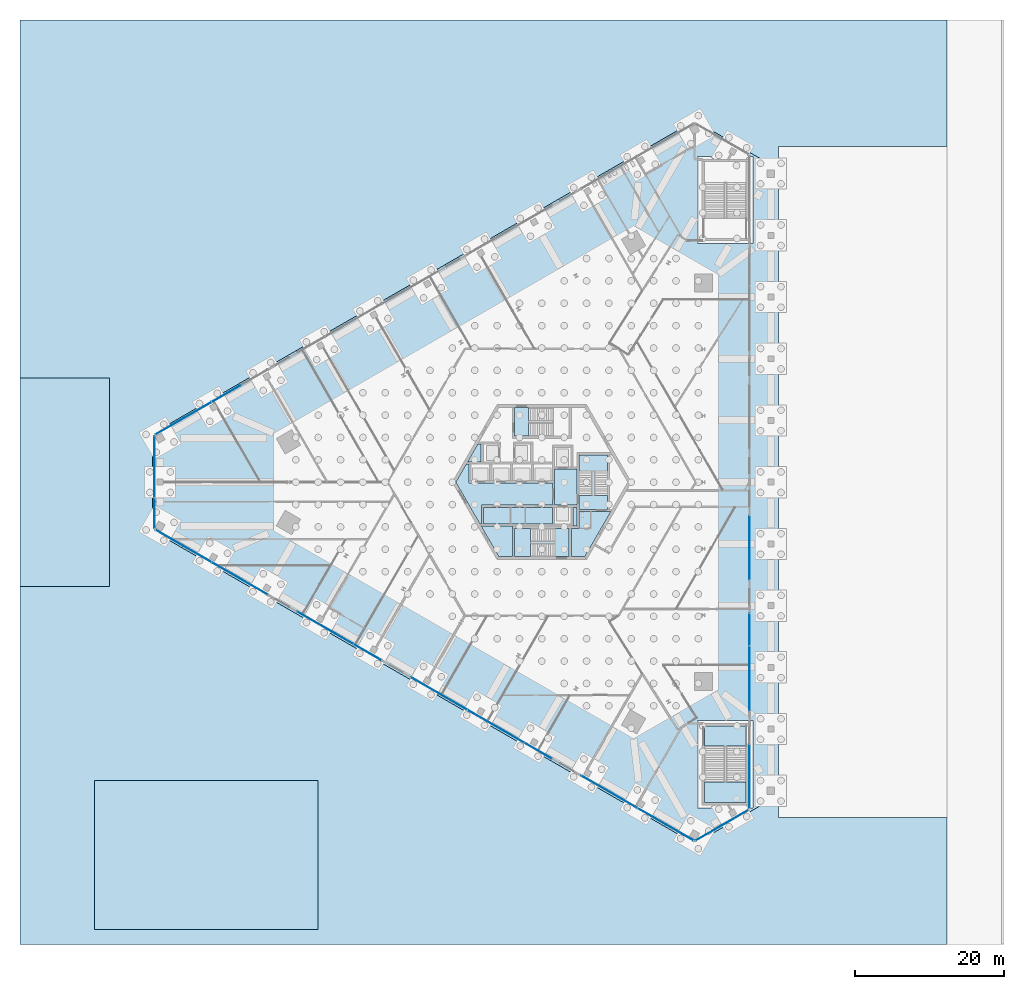
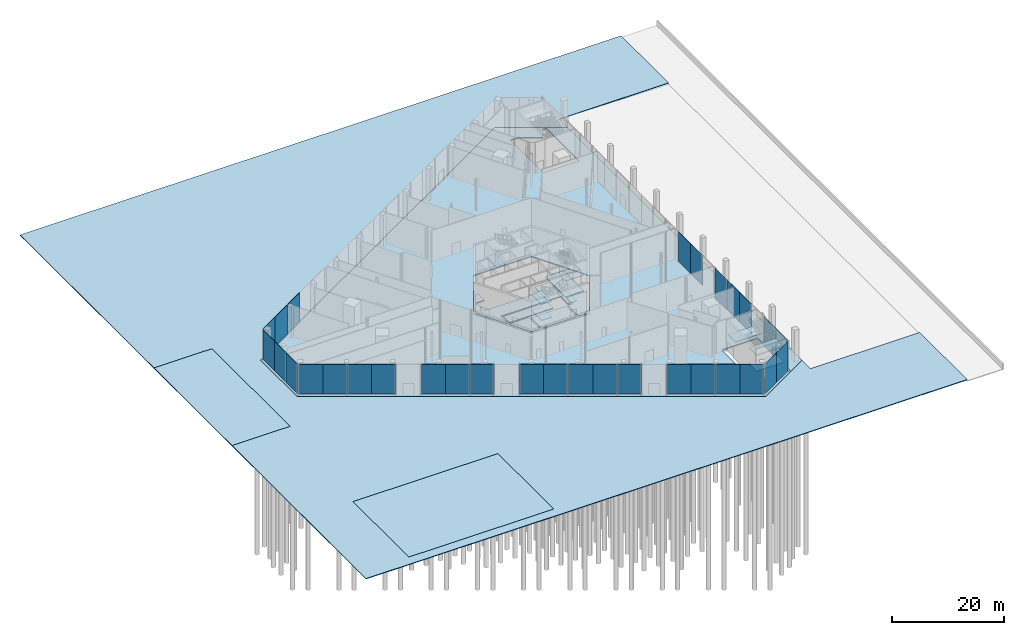
# One storey, part 14 of 27: 31 plates, 22 slabs, 14 elements without a shape of their own.
"""IFC4 building model written with IfcOpenShell, lengths in metres."""

from ifc_helpers import new_model, si_unit, direction, frame, origin, origin_2d, place, context, subcontext, project, spatial, polyline, rectangle, outline, extrude, source, transform, mapped, material, layer, layer_set, type_object, element, aggregate, save


model = new_model("IFC4")

# Units and contexts
model_context = context("Model", 3, precision=1e-05, world=origin(), true_north=direction((0.0, 1.0)))
body_context = subcontext(model_context, "Body", "Model", "MODEL_VIEW")
ifc_project = project(units=[si_unit("LENGTHUNIT", "METRE"), si_unit("AREAUNIT", "SQUARE_METRE"), si_unit("VOLUMEUNIT", "CUBIC_METRE"), si_unit("PLANEANGLEUNIT", "RADIAN"), si_unit("MASSUNIT", "GRAM", prefix="KILO")], contexts=[model_context])

# Site, building, storey
site_placement = place(None, origin())
site = spatial("IfcSite", under=ifc_project, at=site_placement, CompositionType="ELEMENT")
building_placement = place(site_placement, origin())
building = spatial("IfcBuilding", under=site, at=building_placement, Name="Triune Harvest Tower", CompositionType="ELEMENT")
storey_placement = place(building_placement, origin())
storey = spatial("IfcBuildingStorey", under=building, at=storey_placement, Name="L00", CompositionType="ELEMENT", Elevation=0.0)

# Slabs
ifc_material_1 = material(Name="Concrete 40 MPa", Category="concrete")
ifc_layer_1 = layer(ifc_material_1, 0.199951171875)
ifc_layer_set_1 = layer_set([ifc_layer_1], Name="Concrete 40 MPa")
slab_type_1 = type_object("IfcSlabType", Name="Core ground floor 200", PredefinedType="FLOOR", material=ifc_layer_set_1)
slab_1_placement = place(storey_placement, frame((0.0, 0.0, -0.199951171875)))
element("IfcSlab", 1, at=slab_1_placement, inside=storey, type_object=slab_type_1, Name="Core floor 1", PredefinedType="FLOOR", context=body_context, shape_type="SweptSolid", body=[
    extrude(outline(polyline([(-3.64990234375, -9.9921875), (-3.64990234375, -6.18994140625), (3.64990234375, -6.18994140625), (3.64990234375, -9.9921875), (-3.64990234375, -9.9921875)])), origin(), (0.0, 0.0, 1.0), 0.199951171875),
])
slab_2_placement = place(storey_placement, frame((0.0, 0.0, -0.199951171875)))
element("IfcSlab", 2, at=slab_2_placement, inside=storey, type_object=slab_type_1, Name="Core floor 2", PredefinedType="FLOOR", context=body_context, shape_type="SweptSolid", body=[
    extrude(outline(polyline([(-8.137451171875, -5.889892578125), (-3.949951171875, -5.889892578125), (-3.949951171875, -9.9921875), (-5.76904296875, -9.9921875), (-8.137451171875, -5.889892578125)])), origin(), (0.0, 0.0, 1.0), 0.199951171875),
])
slab_3_placement = place(storey_placement, frame((0.0, 0.0, -0.199951171875)))
element("IfcSlab", 3, at=slab_3_placement, inside=storey, type_object=slab_type_1, Name="Core floor 3", PredefinedType="FLOOR", context=body_context, shape_type="SweptSolid", body=[
    extrude(outline(polyline([(5.76904296875, -9.9921875), (3.949951171875, -9.9921875), (3.949951171875, -6.18994140625), (5.0, -6.18994140625), (5.0, -3.949951171875), (9.257568359375, -3.949951171875), (5.76904296875, -9.9921875)])), origin(), (0.0, 0.0, 1.0), 0.199951171875),
])
slab_4_placement = place(storey_placement, frame((0.0, 0.0, -0.199951171875)))
element("IfcSlab", 4, at=slab_4_placement, inside=storey, type_object=slab_type_1, Name="Core floor 4", PredefinedType="FLOOR", context=body_context, shape_type="SweptSolid", body=[
    extrude(outline(polyline([(4.699951171875, -3.389892578125), (4.699951171875, -5.889892578125), (4.199951171875, -5.889892578125), (4.199951171875, -3.389892578125), (4.699951171875, -3.389892578125)])), origin(), (0.0, 0.0, 1.0), 0.199951171875),
])
slab_5_placement = place(storey_placement, frame((0.0, 0.0, -0.199951171875)))
element("IfcSlab", 5, at=slab_5_placement, inside=storey, type_object=slab_type_1, Name="Core floor 5", PredefinedType="FLOOR", context=body_context, shape_type="SweptSolid", body=[
    extrude(outline(polyline([(1.39990234375, -3.389892578125), (1.39990234375, -5.590087890625), (-7.800048828125, -5.590087890625), (-7.800048828125, -3.389892578125), (1.39990234375, -3.389892578125)])), origin(), (0.0, 0.0, 1.0), 0.199951171875),
])
slab_6_placement = place(storey_placement, frame((0.0, 0.0, -0.199951171875)))
element("IfcSlab", 6, at=slab_6_placement, inside=storey, type_object=slab_type_1, Name="Core floor 6", PredefinedType="FLOOR", context=body_context, shape_type="SweptSolid", body=[
    extrude(outline(polyline([(-8.10009765625, -5.590087890625), (-8.310791015625, -5.590087890625), (-11.5380859375, 0.0), (-10.146728515625, 2.409912109375), (-9.800048828125, 2.409912109375), (-9.800048828125, -0.090087890625), (1.39990234375, -0.090087890625), (1.39990234375, -3.090087890625), (-8.10009765625, -3.090087890625), (-8.10009765625, -5.590087890625)])), origin(), (0.0, 0.0, 1.0), 0.199951171875),
])
slab_7_placement = place(storey_placement, frame((0.0, 0.0, -0.199951171875)))
element("IfcSlab", 7, at=slab_7_placement, inside=storey, type_object=slab_type_1, Name="Core floor 7", PredefinedType="FLOOR", context=body_context, shape_type="SweptSolid", body=[
    extrude(outline(polyline([(1.699951171875, 1.760009765625), (4.699951171875, 1.760009765625), (4.699951171875, -3.090087890625), (1.699951171875, -3.090087890625), (1.699951171875, 1.760009765625)])), origin(), (0.0, 0.0, 1.0), 0.199951171875),
])
slab_8_placement = place(storey_placement, frame((0.0, 0.0, -0.199951171875)))
element("IfcSlab", 8, at=slab_8_placement, inside=storey, type_object=slab_type_1, Name="Core floor 8", PredefinedType="FLOOR", context=body_context, shape_type="SweptSolid", body=[
    extrude(outline(polyline([(5.0, -3.64990234375), (5.0, 3.64990234375), (8.800048828125, 3.64990234375), (8.800048828125, -3.64990234375), (5.0, -3.64990234375)])), origin(), (0.0, 0.0, 1.0), 0.199951171875),
])
slab_9_placement = place(storey_placement, frame((0.0, 0.0, -0.199951171875)))
element("IfcSlab", 9, at=slab_9_placement, inside=storey, type_object=slab_type_1, Name="Core floor 10", PredefinedType="FLOOR", context=body_context, shape_type="SweptSolid", body=[
    extrude(outline(polyline([(-8.587890625, 5.110107421875), (-8.14990234375, 5.110107421875), (-8.14990234375, 2.7099609375), (-9.973388671875, 2.7099609375), (-8.587890625, 5.110107421875)])), origin(), (0.0, 0.0, 1.0), 0.199951171875),
])

# Curtain wall, plates
ifc_material_2 = material(Name="Aluminium bronze anodised", Category="aluminium")
curtain_wall_type = type_object("IfcCurtainWallType", Name="CW-2 Podium shopfront wall", PredefinedType="NOTDEFINED", material=ifc_material_2)
curtain_wall_1_placement = place(storey_placement, origin())
curtain_wall_1 = element("IfcCurtainWall", 10, at=curtain_wall_1_placement, inside=storey, type_object=curtain_wall_type, Name="CW-2 PD-F4 L00 run 1")
ifc_material_3 = material(Name="Glass", Category="glass")
ifc_layer_2 = layer(ifc_material_3, 0.0400390625)
ifc_layer_set_2 = layer_set([ifc_layer_2], Name="Glass")
plate_type = type_object("IfcPlateType", Name="GL-2 panel 40", PredefinedType="CURTAIN_PANEL", material=ifc_layer_set_2)
plate_1_placement = place(storey_placement, frame((-51.9501953125, 4.11279296875, 0.300048828125), z_axis=(0.0, 0.0, 1.0), x_axis=(0.0, -1.0, 0.0)))
plate_1 = element("IfcPlate", 11, at=plate_1_placement, type_object=plate_type, Name="CW-2 panel PD-F4 1.1", PredefinedType="CURTAIN_PANEL", context=body_context, shape_type="SweptSolid", body=[
    extrude(rectangle(XDim=4.06787109375, YDim=0.0400390625, at=origin_2d()), origin(), (0.0, 0.0, 1.0), 6.5),
])
plate_2_placement = place(storey_placement, frame((-51.9501953125, 0.0224609375, 0.300048828125), z_axis=(0.0, 0.0, 1.0), x_axis=(0.0, -1.0, 0.0)))
plate_2 = element("IfcPlate", 12, at=plate_2_placement, type_object=plate_type, Name="CW-2 panel PD-F4 1.2", PredefinedType="CURTAIN_PANEL", context=body_context, shape_type="SweptSolid", body=[
    extrude(rectangle(XDim=4.11279296875, YDim=0.0400390625, at=origin_2d()), origin(), (0.0, 0.0, 1.0), 6.5),
])
plate_3_placement = place(storey_placement, frame((-51.9501953125, -4.13525390625, 0.300048828125), z_axis=(0.0, 0.0, 1.0), x_axis=(0.0, -1.0, 0.0)))
plate_3 = element("IfcPlate", 13, at=plate_3_placement, type_object=plate_type, Name="CW-2 panel PD-F4 1.3", PredefinedType="CURTAIN_PANEL", context=body_context, shape_type="SweptSolid", body=[
    extrude(rectangle(XDim=4.02294921875, YDim=0.0400390625, at=origin_2d()), origin(), (0.0, 0.0, 1.0), 6.5),
])
aggregate(curtain_wall_1, [plate_1, plate_2, plate_3])

# Slabs
ifc_material_4 = material(Name="Stone paving", Category="masonry")
ifc_layer_3 = layer(ifc_material_4, 0.14990234375)
ifc_layer_set_3 = layer_set([ifc_layer_3], Name="Stone paving")
slab_type_2 = type_object("IfcSlabType", Name="PV-1 paving 150", PredefinedType="USERDEFINED", material=ifc_layer_set_3)
slab_10_placement = place(storey_placement, frame((0.0, 0.0, -0.14990234375)))
element("IfcSlab", 14, at=slab_10_placement, inside=storey, type_object=slab_type_2, Name="Paving apron 1", ObjectType="PAVING", PredefinedType="USERDEFINED", context=body_context, shape_type="SweptSolid", body=[
    extrude(outline(polyline([(31.75439453125, 45.0), (31.75439453125, 42.0), (20.495849609375, 48.5), (-52.250244140625, 6.5), (-52.250244140625, -6.5), (20.495849609375, -48.5), (31.75439453125, -42.0), (31.75439453125, -45.0), (54.3798828125, -45.0), (54.3798828125, -62.0), (-70.0, -62.0), (-70.0, -14.0), (-58.0, -14.0), (-58.0, 14.0), (-70.0, 14.0), (-70.0, 62.0), (54.3798828125, 62.0), (54.3798828125, 45.0), (31.75439453125, 45.0)]), holes=[polyline([(-30.0, -60.0), (-30.0, -40.0), (-60.0, -40.0), (-60.0, -60.0), (-30.0, -60.0)])]), origin(), (0.0, 0.0, 1.0), 0.14990234375),
])
slab_11_placement = place(storey_placement, frame((0.0, 0.0, -0.14990234375)))
element("IfcSlab", 15, at=slab_11_placement, inside=storey, type_object=slab_type_2, Name="Paving drop-off 1", ObjectType="PAVING", PredefinedType="USERDEFINED", context=body_context, shape_type="SweptSolid", body=[
    extrude(outline(polyline([(-70.0, -14.0), (-58.0, -14.0), (-58.0, 14.0), (-70.0, 14.0), (-70.0, -14.0)])), origin(), (0.0, 0.0, 1.0), 0.14990234375),
])
slab_12_placement = place(storey_placement, frame((0.0, 0.0, -0.14990234375)))
element("IfcSlab", 16, at=slab_12_placement, inside=storey, type_object=slab_type_2, Name="Paving loading 1", ObjectType="PAVING", PredefinedType="USERDEFINED", context=body_context, shape_type="SweptSolid", body=[
    extrude(outline(polyline([(-60.0, -60.0), (-30.0, -60.0), (-30.0, -40.0), (-60.0, -40.0), (-60.0, -60.0)])), origin(), (0.0, 0.0, 1.0), 0.14990234375),
])
ifc_material_5 = material(Name="Concrete 40 MPa", Category="concrete")
ifc_layer_4 = layer(ifc_material_5, 0.199951171875)
ifc_layer_set_4 = layer_set([ifc_layer_4], Name="Concrete 40 MPa")
slab_type_3 = type_object("IfcSlabType", Name="SL-3 Composite floor slab 200", PredefinedType="FLOOR", material=ifc_layer_set_4)
slab_13_placement = place(storey_placement, frame((0.0, 0.0, -0.199951171875)))
element("IfcSlab", 17, at=slab_13_placement, inside=storey, type_object=slab_type_3, Name="slab/L00/1", PredefinedType="FLOOR", context=body_context, shape_type="SweptSolid", body=[
    extrude(outline(polyline([(31.75439453125, -42.0), (31.75439453125, 42.0), (20.495849609375, 48.5), (-52.250244140625, 6.5), (-52.250244140625, -6.5), (20.495849609375, -48.5), (31.75439453125, -42.0)]), holes=[polyline([(12.0, 0.0), (6.0, 10.392333984375), (-6.0, 10.392333984375), (-12.0, 0.0), (-6.0, -10.392333984375), (6.0, -10.392333984375), (12.0, 0.0)]), polyline([(28.34521484375, 31.98486328125), (20.90478515625, 31.98486328125), (20.90478515625, 43.715087890625), (22.796875, 43.715087890625), (22.716552734375, 43.575927734375), (26.379638671875, 41.4609375), (27.680908203125, 43.715087890625), (28.34521484375, 43.715087890625), (28.34521484375, 31.98486328125)]), polyline([(20.90478515625, -31.98486328125), (28.34521484375, -31.98486328125), (28.34521484375, -43.715087890625), (27.680908203125, -43.715087890625), (26.379638671875, -41.4609375), (22.716552734375, -43.575927734375), (22.796875, -43.715087890625), (20.90478515625, -43.715087890625), (20.90478515625, -31.98486328125)])]), origin(), (0.0, 0.0, 1.0), 0.199951171875),
])

# Stair, slab
ifc_material_6 = material(Name="Concrete 40 MPa", Category="concrete")
stair_type_1 = type_object("IfcStairType", Name="Exit stair 1800 double return", PredefinedType="DOUBLE_RETURN_STAIR", material=ifc_material_6)
stair_1_placement = place(storey_placement, origin())
stair_1 = element("IfcStair", 18, at=stair_1_placement, inside=storey, type_object=stair_type_1, Name="Exit stair north", PredefinedType="DOUBLE_RETURN_STAIR")
ifc_material_7 = material(Name="Concrete 40 MPa", Category="concrete")
ifc_layer_5 = layer(ifc_material_7, 0.199951171875)
ifc_layer_set_5 = layer_set([ifc_layer_5], Name="Concrete 40 MPa")
slab_type_4 = type_object("IfcSlabType", Name="Stair landing 200", PredefinedType="LANDING", material=ifc_layer_set_5)
shared_shape_1 = source(origin(), body_context, "Body", "SweptSolid", [
    extrude(outline(polyline([(-3.64990234375, 6.18994140625), (-1.780029296875, 6.18994140625), (-1.780029296875, 9.989990234375), (-3.64990234375, 9.989990234375), (-3.64990234375, 6.18994140625)])), origin(), (0.0, 0.0, 1.0), 0.199951171875),
])
slab_14_placement = place(storey_placement, frame((0.0, 0.0, 3.300048828125)))
slab_14 = element("IfcSlab", 19, at=slab_14_placement, type_object=slab_type_4, Name="ST-1 landing 2", PredefinedType="LANDING", context=body_context, shape_type="MappedRepresentation", body=[
    mapped(shared_shape_1, transform((0.0, 0.0, 0.0), scale=1.0)),
])
aggregate(stair_1, [slab_14])

# Stair, slabs
stair_2_placement = place(storey_placement, origin())
stair_2 = element("IfcStair", 20, at=stair_2_placement, inside=storey, type_object=stair_type_1, Name="Exit stair south", PredefinedType="DOUBLE_RETURN_STAIR")
shared_shape_2 = source(origin(), body_context, "Body", "SweptSolid", [
    extrude(outline(polyline([(-1.510009765625, -6.18994140625), (-3.64990234375, -6.18994140625), (-3.64990234375, -9.989990234375), (-1.510009765625, -9.989990234375), (-1.510009765625, -6.18994140625)])), origin(), (0.0, 0.0, 1.0), 0.199951171875),
])
slab_15_placement = place(storey_placement, frame((0.0, 0.0, 1.550048828125)))
slab_15 = element("IfcSlab", 21, at=slab_15_placement, type_object=slab_type_4, Name="ST-2 landing 1", PredefinedType="LANDING", context=body_context, shape_type="MappedRepresentation", body=[
    mapped(shared_shape_2, transform((0.0, 0.0, 0.0), scale=1.0)),
])
slab_16_placement = place(storey_placement, frame((0.0, 0.0, 5.050048828125)))
slab_16 = element("IfcSlab", 22, at=slab_16_placement, type_object=slab_type_4, Name="ST-2 landing 3", PredefinedType="LANDING", context=body_context, shape_type="MappedRepresentation", body=[
    mapped(shared_shape_2, transform((0.0, 0.0, 0.0), scale=1.0)),
])
shared_shape_3 = source(origin(), body_context, "Body", "SweptSolid", [
    extrude(outline(polyline([(3.64990234375, -6.18994140625), (1.780029296875, -6.18994140625), (1.780029296875, -9.989990234375), (3.64990234375, -9.989990234375), (3.64990234375, -6.18994140625)])), origin(), (0.0, 0.0, 1.0), 0.199951171875),
])
slab_17_placement = place(storey_placement, frame((0.0, 0.0, 3.300048828125)))
slab_17 = element("IfcSlab", 23, at=slab_17_placement, type_object=slab_type_4, Name="ST-2 landing 2", PredefinedType="LANDING", context=body_context, shape_type="MappedRepresentation", body=[
    mapped(shared_shape_3, transform((0.0, 0.0, 0.0), scale=1.0)),
])
aggregate(stair_2, [slab_15, slab_17, slab_16])

stair_3_placement = place(storey_placement, origin())
stair_3 = element("IfcStair", 24, at=stair_3_placement, inside=storey, type_object=stair_type_1, Name="Exit stair east", PredefinedType="DOUBLE_RETURN_STAIR")
shared_shape_4 = source(origin(), body_context, "Body", "SweptSolid", [
    extrude(outline(polyline([(8.800048828125, 1.510009765625), (8.800048828125, 3.64990234375), (5.0, 3.64990234375), (5.0, 1.510009765625), (8.800048828125, 1.510009765625)])), origin(), (0.0, 0.0, 1.0), 0.199951171875),
])
slab_18_placement = place(storey_placement, frame((0.0, 0.0, 1.550048828125)))
slab_18 = element("IfcSlab", 25, at=slab_18_placement, type_object=slab_type_4, Name="ST-3 landing 1", PredefinedType="LANDING", context=body_context, shape_type="MappedRepresentation", body=[
    mapped(shared_shape_4, transform((0.0, 0.0, 0.0), scale=1.0)),
])
shared_shape_5 = source(origin(), body_context, "Body", "SweptSolid", [
    extrude(outline(polyline([(8.800048828125, -3.64990234375), (8.800048828125, -1.780029296875), (5.0, -1.780029296875), (5.0, -3.64990234375), (8.800048828125, -3.64990234375)])), origin(), (0.0, 0.0, 1.0), 0.199951171875),
])
slab_19_placement = place(storey_placement, frame((0.0, 0.0, 3.300048828125)))
slab_19 = element("IfcSlab", 26, at=slab_19_placement, type_object=slab_type_4, Name="ST-3 landing 2", PredefinedType="LANDING", context=body_context, shape_type="MappedRepresentation", body=[
    mapped(shared_shape_5, transform((0.0, 0.0, 0.0), scale=1.0)),
])
aggregate(stair_3, [slab_18, slab_19])

ifc_material_8 = material(Name="Concrete 40 MPa", Category="concrete")
stair_type_2 = type_object("IfcStairType", Name="Podium exit stair 2700 double return", PredefinedType="DOUBLE_RETURN_STAIR", material=ifc_material_8)
stair_4_placement = place(storey_placement, origin())
stair_4 = element("IfcStair", 27, at=stair_4_placement, inside=storey, type_object=stair_type_2, Name="Podium exit stair south", PredefinedType="DOUBLE_RETURN_STAIR")
shared_shape_6 = source(origin(), body_context, "Body", "SweptSolid", [
    extrude(outline(polyline([(21.820068359375, -40.199951171875), (21.820068359375, -43.0), (27.419921875, -43.0), (27.419921875, -40.199951171875), (21.820068359375, -40.199951171875)])), origin(), (0.0, 0.0, 1.0), 0.199951171875),
])
slab_20_placement = place(storey_placement, frame((0.0, 0.0, 1.550048828125)))
slab_20 = element("IfcSlab", 28, at=slab_20_placement, type_object=slab_type_4, Name="PS-2 landing 1", PredefinedType="LANDING", context=body_context, shape_type="MappedRepresentation", body=[
    mapped(shared_shape_6, transform((0.0, 0.0, 0.0), scale=1.0)),
])
slab_21_placement = place(storey_placement, frame((0.0, 0.0, 5.050048828125)))
slab_21 = element("IfcSlab", 29, at=slab_21_placement, type_object=slab_type_4, Name="PS-2 landing 3", PredefinedType="LANDING", context=body_context, shape_type="MappedRepresentation", body=[
    mapped(shared_shape_6, transform((0.0, 0.0, 0.0), scale=1.0)),
])
shared_shape_7 = source(origin(), body_context, "Body", "SweptSolid", [
    extrude(outline(polyline([(21.820068359375, -32.699951171875), (21.820068359375, -35.409912109375), (27.419921875, -35.409912109375), (27.419921875, -32.699951171875), (21.820068359375, -32.699951171875)])), origin(), (0.0, 0.0, 1.0), 0.199951171875),
])
slab_22_placement = place(storey_placement, frame((0.0, 0.0, 3.300048828125)))
slab_22 = element("IfcSlab", 30, at=slab_22_placement, type_object=slab_type_4, Name="PS-2 landing 2", PredefinedType="LANDING", context=body_context, shape_type="MappedRepresentation", body=[
    mapped(shared_shape_7, transform((0.0, 0.0, 0.0), scale=1.0)),
])
aggregate(stair_4, [slab_20, slab_22, slab_21])

# Curtain wall, plates
curtain_wall_2_placement = place(storey_placement, origin())
curtain_wall_2 = element("IfcCurtainWall", 31, at=curtain_wall_2_placement, inside=storey, type_object=curtain_wall_type, Name="CW-2 PD-F1 L00 run 1")
shared_shape_8 = source(origin(), body_context, "Body", "SweptSolid", [
    extrude(rectangle(XDim=4.255615234375, YDim=0.0400390625, at=origin_2d()), origin(), (0.0, 0.0, 1.0), 6.5),
])
plate_4_placement = place(storey_placement, frame((27.854248046875, -41.597412109375, 0.300048828125), z_axis=(0.0, 0.0, 1.0), x_axis=(0.0, 1.0, 0.0)))
plate_4 = element("IfcPlate", 32, at=plate_4_placement, type_object=plate_type, Name="CW-2 panel PD-F1 1.1", PredefinedType="CURTAIN_PANEL", context=body_context, shape_type="MappedRepresentation", body=[
    mapped(shared_shape_8, transform((0.0, 0.0, 0.0), scale=1.0)),
])
plate_5_placement = place(storey_placement, frame((27.854248046875, -37.342041015625, 0.300048828125), z_axis=(0.0, 0.0, 1.0), x_axis=(0.0, 1.0, 0.0)))
plate_5 = element("IfcPlate", 33, at=plate_5_placement, type_object=plate_type, Name="CW-2 panel PD-F1 1.2", PredefinedType="CURTAIN_PANEL", context=body_context, shape_type="MappedRepresentation", body=[
    mapped(shared_shape_8, transform((0.0, 0.0, 0.0), scale=1.0)),
])
aggregate(curtain_wall_2, [plate_4, plate_5])

curtain_wall_3_placement = place(storey_placement, origin())
curtain_wall_3 = element("IfcCurtainWall", 34, at=curtain_wall_3_placement, inside=storey, type_object=curtain_wall_type, Name="CW-2 PD-F1 L00 run 2")
plate_6_placement = place(storey_placement, frame((27.854248046875, -19.77978515625, 0.300048828125), z_axis=(0.0, 0.0, 1.0), x_axis=(0.0, 1.0, 0.0)))
plate_6 = element("IfcPlate", 35, at=plate_6_placement, type_object=plate_type, Name="CW-2 panel PD-F1 2.3", PredefinedType="CURTAIN_PANEL", context=body_context, shape_type="MappedRepresentation", body=[
    mapped(shared_shape_8, transform((0.0, 0.0, 0.0), scale=1.0)),
])
shared_shape_9 = source(origin(), body_context, "Body", "SweptSolid", [
    extrude(rectangle(XDim=4.300537109375, YDim=0.0400390625, at=origin_2d()), origin(), (0.0, 0.0, 1.0), 6.5),
])
plate_7_placement = place(storey_placement, frame((27.854248046875, -28.493408203125, 0.300048828125), z_axis=(0.0, 0.0, 1.0), x_axis=(0.0, 1.0, 0.0)))
plate_7 = element("IfcPlate", 36, at=plate_7_placement, type_object=plate_type, Name="CW-2 panel PD-F1 2.1", PredefinedType="CURTAIN_PANEL", context=body_context, shape_type="MappedRepresentation", body=[
    mapped(shared_shape_9, transform((0.0, 0.0, 0.0), scale=1.0)),
])

curtain_wall_4_placement = place(storey_placement, origin())
curtain_wall_4 = element("IfcCurtainWall", 37, at=curtain_wall_4_placement, inside=storey, type_object=curtain_wall_type, Name="CW-2 PD-F1 L00 run 3")
plate_8_placement = place(storey_placement, frame((27.854248046875, -10.931396484375, 0.300048828125), z_axis=(0.0, 0.0, 1.0), x_axis=(0.0, 1.0, 0.0)))
plate_8 = element("IfcPlate", 38, at=plate_8_placement, type_object=plate_type, Name="CW-2 panel PD-F1 3.1", PredefinedType="CURTAIN_PANEL", context=body_context, shape_type="MappedRepresentation", body=[
    mapped(shared_shape_9, transform((0.0, 0.0, 0.0), scale=1.0)),
])
plate_9_placement = place(storey_placement, frame((27.854248046875, -6.630859375, 0.300048828125), z_axis=(0.0, 0.0, 1.0), x_axis=(0.0, 1.0, 0.0)))
plate_9 = element("IfcPlate", 39, at=plate_9_placement, type_object=plate_type, Name="CW-2 panel PD-F1 3.2", PredefinedType="CURTAIN_PANEL", context=body_context, shape_type="MappedRepresentation", body=[
    mapped(shared_shape_9, transform((0.0, 0.0, 0.0), scale=1.0)),
])
aggregate(curtain_wall_4, [plate_8, plate_9])

# Plate
shared_shape_10 = source(origin(), body_context, "Body", "SweptSolid", [
    extrude(rectangle(XDim=4.345458984375, YDim=0.0400390625, at=origin_2d()), origin(), (0.0, 0.0, 1.0), 6.5),
])
plate_10_placement = place(storey_placement, frame((27.854248046875, -24.17041015625, 0.300048828125), z_axis=(0.0, 0.0, 1.0), x_axis=(0.0, 1.0, 0.0)))
plate_10 = element("IfcPlate", 40, at=plate_10_placement, type_object=plate_type, Name="CW-2 panel PD-F1 2.2", PredefinedType="CURTAIN_PANEL", context=body_context, shape_type="MappedRepresentation", body=[
    mapped(shared_shape_10, transform((0.0, 0.0, 0.0), scale=1.0)),
])

aggregate(curtain_wall_3, [plate_7, plate_10, plate_6])

# Curtain wall, plates
curtain_wall_5_placement = place(storey_placement, origin())
curtain_wall_5 = element("IfcCurtainWall", 41, at=curtain_wall_5_placement, inside=storey, type_object=curtain_wall_type, Name="CW-2 PD-F6 L00 run 1")
shared_shape_11 = source(origin(), body_context, "Body", "SweptSolid", [
    extrude(rectangle(XDim=4.068359375, YDim=0.0400390625, at=origin_2d()), origin(), (0.0, 0.0, 1.0), 6.5),
])
plate_11_placement = place(storey_placement, frame((22.413330078125, -47.04638671875, 0.300048828125), z_axis=(0.0, 0.0, 1.0), x_axis=(0.86602409002, 0.5000022755, 0.0)))
plate_11 = element("IfcPlate", 42, at=plate_11_placement, type_object=plate_type, Name="CW-2 panel PD-F6 1.1", PredefinedType="CURTAIN_PANEL", context=body_context, shape_type="MappedRepresentation", body=[
    mapped(shared_shape_11, transform((0.0, 0.0, 0.0), scale=1.0)),
])
plate_12_placement = place(storey_placement, frame((25.936767578125, -45.01220703125, 0.300048828125), z_axis=(0.0, 0.0, 1.0), x_axis=(0.86602409002, 0.5000022755, 0.0)))
plate_12 = element("IfcPlate", 43, at=plate_12_placement, type_object=plate_type, Name="CW-2 panel PD-F6 1.2", PredefinedType="CURTAIN_PANEL", context=body_context, shape_type="MappedRepresentation", body=[
    mapped(shared_shape_11, transform((0.0, 0.0, 0.0), scale=1.0)),
])
aggregate(curtain_wall_5, [plate_11, plate_12])

# Curtain wall, plate
curtain_wall_6_placement = place(storey_placement, origin())
curtain_wall_6 = element("IfcCurtainWall", 44, at=curtain_wall_6_placement, inside=storey, type_object=curtain_wall_type, Name="CW-2 PD-F3 L00 run 4")
shared_shape_12 = source(origin(), body_context, "Body", "SweptSolid", [
    extrude(rectangle(XDim=4.290283203125, YDim=0.0400390625, at=origin_2d()), origin(), (0.0, 0.0, 1.0), 6.5),
])
plate_13_placement = place(storey_placement, frame((-49.9365234375, 7.489501953125, 0.300048828125), z_axis=(0.0, 0.0, 1.0), x_axis=(-0.866025276122, -0.500000221117, 0.0)))
plate_13 = element("IfcPlate", 45, at=plate_13_placement, type_object=plate_type, Name="CW-2 panel PD-F3 4.4", PredefinedType="CURTAIN_PANEL", context=body_context, shape_type="MappedRepresentation", body=[
    mapped(shared_shape_12, transform((0.0, 0.0, 0.0), scale=1.0)),
])

# Curtain wall, plates
curtain_wall_7_placement = place(storey_placement, origin())
curtain_wall_7 = element("IfcCurtainWall", 46, at=curtain_wall_7_placement, inside=storey, type_object=curtain_wall_type, Name="CW-2 PD-F5 L00 run 1")
plate_14_placement = place(storey_placement, frame((-49.9365234375, -7.489501953125, 0.300048828125), z_axis=(0.0, 0.0, 1.0), x_axis=(0.866025276122, -0.500000221117, 0.0)))
plate_14 = element("IfcPlate", 47, at=plate_14_placement, type_object=plate_type, Name="CW-2 panel PD-F5 1.1", PredefinedType="CURTAIN_PANEL", context=body_context, shape_type="MappedRepresentation", body=[
    mapped(shared_shape_12, transform((0.0, 0.0, 0.0), scale=1.0)),
])
plate_15_placement = place(storey_placement, frame((-38.634033203125, -14.014892578125, 0.300048828125), z_axis=(0.0, 0.0, 1.0), x_axis=(0.866025276122, -0.500000221117, 0.0)))
plate_15 = element("IfcPlate", 48, at=plate_15_placement, type_object=plate_type, Name="CW-2 panel PD-F5 1.4", PredefinedType="CURTAIN_PANEL", context=body_context, shape_type="MappedRepresentation", body=[
    mapped(shared_shape_12, transform((0.0, 0.0, 0.0), scale=1.0)),
])

curtain_wall_8_placement = place(storey_placement, origin())
curtain_wall_8 = element("IfcCurtainWall", 49, at=curtain_wall_8_placement, inside=storey, type_object=curtain_wall_type, Name="CW-2 PD-F5 L00 run 4")
plate_16_placement = place(storey_placement, frame((7.1796875, -40.465576171875, 0.300048828125), z_axis=(0.0, 0.0, 1.0), x_axis=(0.866025276122, -0.500000221117, 0.0)))
plate_16 = element("IfcPlate", 50, at=plate_16_placement, type_object=plate_type, Name="CW-2 panel PD-F5 4.1", PredefinedType="CURTAIN_PANEL", context=body_context, shape_type="MappedRepresentation", body=[
    mapped(shared_shape_12, transform((0.0, 0.0, 0.0), scale=1.0)),
])
plate_17_placement = place(storey_placement, frame((18.482177734375, -46.990966796875, 0.300048828125), z_axis=(0.0, 0.0, 1.0), x_axis=(0.866025276122, -0.500000221117, 0.0)))
plate_17 = element("IfcPlate", 51, at=plate_17_placement, type_object=plate_type, Name="CW-2 panel PD-F5 4.4", PredefinedType="CURTAIN_PANEL", context=body_context, shape_type="MappedRepresentation", body=[
    mapped(shared_shape_12, transform((0.0, 0.0, 0.0), scale=1.0)),
])

# Plate
shared_shape_13 = source(origin(), body_context, "Body", "SweptSolid", [
    extrude(rectangle(XDim=4.335205078125, YDim=0.0400390625, at=origin_2d()), origin(), (0.0, 0.0, 1.0), 6.5),
])
plate_18_placement = place(storey_placement, frame((-42.369140625, 11.8583984375, 0.300048828125), z_axis=(0.0, 0.0, 1.0), x_axis=(-0.866025276122, -0.500000221117, 0.0)))
plate_18 = element("IfcPlate", 52, at=plate_18_placement, type_object=plate_type, Name="CW-2 panel PD-F3 4.2", PredefinedType="CURTAIN_PANEL", context=body_context, shape_type="MappedRepresentation", body=[
    mapped(shared_shape_13, transform((0.0, 0.0, 0.0), scale=1.0)),
])

plate_19_placement = place(storey_placement, frame((-46.20166015625, 9.645751953125, 0.300048828125), z_axis=(0.0, 0.0, 1.0), x_axis=(-0.866025276122, -0.500000221117, 0.0)))
plate_19 = element("IfcPlate", 53, at=plate_19_placement, type_object=plate_type, Name="CW-2 panel PD-F3 4.3", PredefinedType="CURTAIN_PANEL", context=body_context, shape_type="MappedRepresentation", body=[
    mapped(shared_shape_13, transform((0.0, 0.0, 0.0), scale=1.0)),
])

aggregate(curtain_wall_6, [plate_18, plate_19, plate_13])

plate_20_placement = place(storey_placement, frame((-46.20166015625, -9.645751953125, 0.300048828125), z_axis=(0.0, 0.0, 1.0), x_axis=(0.866025276122, -0.500000221117, 0.0)))
plate_20 = element("IfcPlate", 54, at=plate_20_placement, type_object=plate_type, Name="CW-2 panel PD-F5 1.2", PredefinedType="CURTAIN_PANEL", context=body_context, shape_type="MappedRepresentation", body=[
    mapped(shared_shape_13, transform((0.0, 0.0, 0.0), scale=1.0)),
])

plate_21_placement = place(storey_placement, frame((-42.369140625, -11.8583984375, 0.300048828125), z_axis=(0.0, 0.0, 1.0), x_axis=(0.866025276122, -0.500000221117, 0.0)))
plate_21 = element("IfcPlate", 55, at=plate_21_placement, type_object=plate_type, Name="CW-2 panel PD-F5 1.3", PredefinedType="CURTAIN_PANEL", context=body_context, shape_type="MappedRepresentation", body=[
    mapped(shared_shape_13, transform((0.0, 0.0, 0.0), scale=1.0)),
])

aggregate(curtain_wall_7, [plate_14, plate_20, plate_21, plate_15])

plate_22_placement = place(storey_placement, frame((10.914794921875, -42.6220703125, 0.300048828125), z_axis=(0.0, 0.0, 1.0), x_axis=(0.866025276122, -0.500000221117, 0.0)))
plate_22 = element("IfcPlate", 56, at=plate_22_placement, type_object=plate_type, Name="CW-2 panel PD-F5 4.2", PredefinedType="CURTAIN_PANEL", context=body_context, shape_type="MappedRepresentation", body=[
    mapped(shared_shape_13, transform((0.0, 0.0, 0.0), scale=1.0)),
])

plate_23_placement = place(storey_placement, frame((14.747314453125, -44.834716796875, 0.300048828125), z_axis=(0.0, 0.0, 1.0), x_axis=(0.866025276122, -0.500000221117, 0.0)))
plate_23 = element("IfcPlate", 57, at=plate_23_placement, type_object=plate_type, Name="CW-2 panel PD-F5 4.3", PredefinedType="CURTAIN_PANEL", context=body_context, shape_type="MappedRepresentation", body=[
    mapped(shared_shape_13, transform((0.0, 0.0, 0.0), scale=1.0)),
])

aggregate(curtain_wall_8, [plate_16, plate_22, plate_23, plate_17])

# Curtain wall, plate
curtain_wall_9_placement = place(storey_placement, origin())
curtain_wall_9 = element("IfcCurtainWall", 58, at=curtain_wall_9_placement, inside=storey, type_object=curtain_wall_type, Name="CW-2 PD-F5 L00 run 2")
shared_shape_14 = source(origin(), body_context, "Body", "SweptSolid", [
    extrude(rectangle(XDim=4.312744140625, YDim=0.0400390625, at=origin_2d()), origin(), (0.0, 0.0, 1.0), 6.5),
])
plate_24_placement = place(storey_placement, frame((-30.93994140625, -18.45703125, 0.300048828125), z_axis=(0.0, 0.0, 1.0), x_axis=(0.866025276122, -0.500000221117, 0.0)))
plate_24 = element("IfcPlate", 59, at=plate_24_placement, type_object=plate_type, Name="CW-2 panel PD-F5 2.1", PredefinedType="CURTAIN_PANEL", context=body_context, shape_type="MappedRepresentation", body=[
    mapped(shared_shape_14, transform((0.0, 0.0, 0.0), scale=1.0)),
])

curtain_wall_10_placement = place(storey_placement, origin())
curtain_wall_10 = element("IfcCurtainWall", 60, at=curtain_wall_10_placement, inside=storey, type_object=curtain_wall_type, Name="CW-2 PD-F5 L00 run 3")
plate_25_placement = place(storey_placement, frame((-15.688232421875, -27.2626953125, 0.300048828125), z_axis=(0.0, 0.0, 1.0), x_axis=(0.866025276122, -0.500000221117, 0.0)))
plate_25 = element("IfcPlate", 61, at=plate_25_placement, type_object=plate_type, Name="CW-2 panel PD-F5 3.1", PredefinedType="CURTAIN_PANEL", context=body_context, shape_type="MappedRepresentation", body=[
    mapped(shared_shape_14, transform((0.0, 0.0, 0.0), scale=1.0)),
])

# Plate
shared_shape_15 = source(origin(), body_context, "Body", "SweptSolid", [
    extrude(rectangle(XDim=4.35791015625, YDim=0.0400390625, at=origin_2d()), origin(), (0.0, 0.0, 1.0), 6.5),
])
plate_26_placement = place(storey_placement, frame((-27.185546875, -20.624755859375, 0.300048828125), z_axis=(0.0, 0.0, 1.0), x_axis=(0.866025276122, -0.500000221117, 0.0)))
plate_26 = element("IfcPlate", 62, at=plate_26_placement, type_object=plate_type, Name="CW-2 panel PD-F5 2.2", PredefinedType="CURTAIN_PANEL", context=body_context, shape_type="MappedRepresentation", body=[
    mapped(shared_shape_15, transform((0.0, 0.0, 0.0), scale=1.0)),
])

plate_27_placement = place(storey_placement, frame((-11.93359375, -29.430419921875, 0.300048828125), z_axis=(0.0, 0.0, 1.0), x_axis=(0.866025276122, -0.500000221117, 0.0)))
plate_27 = element("IfcPlate", 63, at=plate_27_placement, type_object=plate_type, Name="CW-2 panel PD-F5 3.2", PredefinedType="CURTAIN_PANEL", context=body_context, shape_type="MappedRepresentation", body=[
    mapped(shared_shape_15, transform((0.0, 0.0, 0.0), scale=1.0)),
])

plate_28_placement = place(storey_placement, frame((-8.081787109375, -31.654296875, 0.300048828125), z_axis=(0.0, 0.0, 1.0), x_axis=(0.866025276122, -0.500000221117, 0.0)))
plate_28 = element("IfcPlate", 64, at=plate_28_placement, type_object=plate_type, Name="CW-2 panel PD-F5 3.3", PredefinedType="CURTAIN_PANEL", context=body_context, shape_type="MappedRepresentation", body=[
    mapped(shared_shape_15, transform((0.0, 0.0, 0.0), scale=1.0)),
])

plate_29_placement = place(storey_placement, frame((-4.307861328125, -33.833251953125, 0.300048828125), z_axis=(0.0, 0.0, 1.0), x_axis=(0.866025276122, -0.500000221117, 0.0)))
plate_29 = element("IfcPlate", 65, at=plate_29_placement, type_object=plate_type, Name="CW-2 panel PD-F5 3.4", PredefinedType="CURTAIN_PANEL", context=body_context, shape_type="MappedRepresentation", body=[
    mapped(shared_shape_15, transform((0.0, 0.0, 0.0), scale=1.0)),
])

shared_shape_16 = source(origin(), body_context, "Body", "SweptSolid", [
    extrude(rectangle(XDim=4.267822265625, YDim=0.0400390625, at=origin_2d()), origin(), (0.0, 0.0, 1.0), 6.5),
])
plate_30_placement = place(storey_placement, frame((-23.37255859375, -22.826171875, 0.300048828125), z_axis=(0.0, 0.0, 1.0), x_axis=(0.866025276122, -0.500000221117, 0.0)))
plate_30 = element("IfcPlate", 66, at=plate_30_placement, type_object=plate_type, Name="CW-2 panel PD-F5 2.3", PredefinedType="CURTAIN_PANEL", context=body_context, shape_type="MappedRepresentation", body=[
    mapped(shared_shape_16, transform((0.0, 0.0, 0.0), scale=1.0)),
])

aggregate(curtain_wall_9, [plate_24, plate_26, plate_30])

plate_31_placement = place(storey_placement, frame((-0.494873046875, -36.03466796875, 0.300048828125), z_axis=(0.0, 0.0, 1.0), x_axis=(0.866025276122, -0.500000221117, 0.0)))
plate_31 = element("IfcPlate", 67, at=plate_31_placement, type_object=plate_type, Name="CW-2 panel PD-F5 3.5", PredefinedType="CURTAIN_PANEL", context=body_context, shape_type="MappedRepresentation", body=[
    mapped(shared_shape_16, transform((0.0, 0.0, 0.0), scale=1.0)),
])

aggregate(curtain_wall_10, [plate_25, plate_27, plate_28, plate_29, plate_31])

save(model, "model.ifc")
